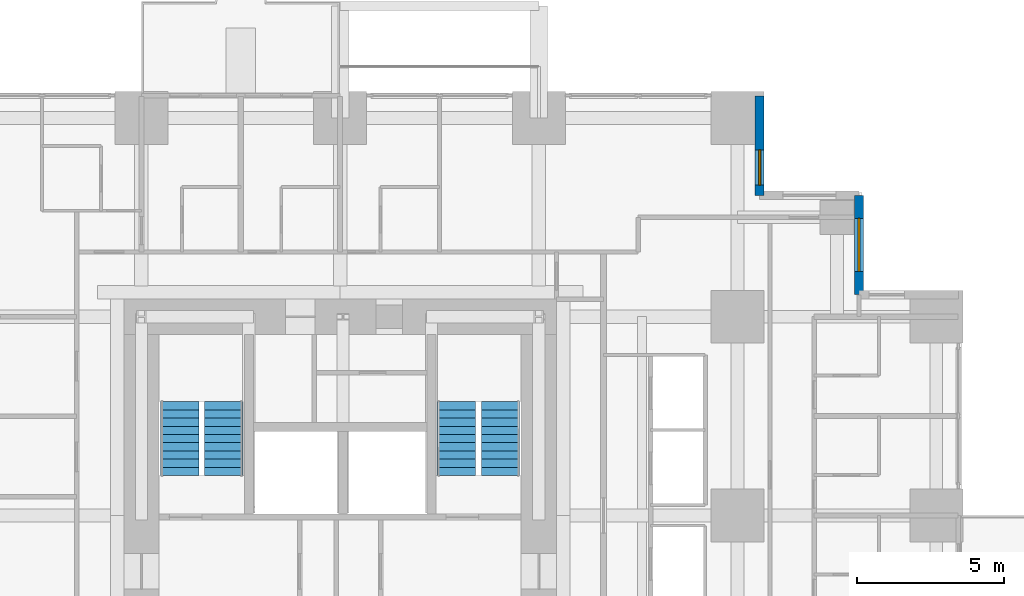
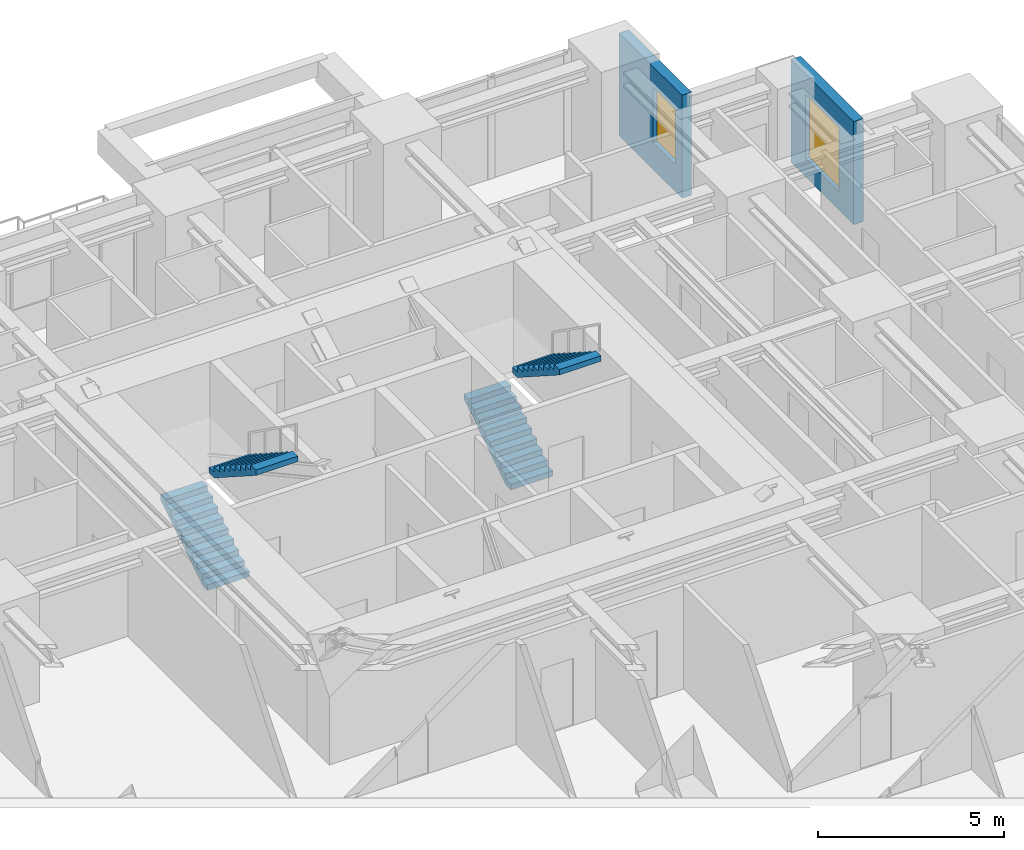
# One storey, part 12 of 13: 4 stair flights, 2 walls, 2 windows, 2 openings, 2 elements without a shape of their own.
"""IFC4 building model written with IfcOpenShell, lengths in metres."""

from ifc_helpers import new_model, si_unit, direction, frame, frame_2d, origin, place, context, subcontext, project, spatial, polyline, rectangle, outline, extrude, material, layer, layer_set, type_object, element, fill, aggregate, save


model = new_model("IFC4")

# Units and contexts
model_context = context("Model", 3, precision=1e-05, world=origin(), true_north=direction((0.0, 1.0)))
body_context = subcontext(model_context, "Body", "Model", "MODEL_VIEW")
ifc_project = project(units=[si_unit("LENGTHUNIT", "METRE"), si_unit("AREAUNIT", "SQUARE_METRE"), si_unit("VOLUMEUNIT", "CUBIC_METRE"), si_unit("PLANEANGLEUNIT", "RADIAN"), si_unit("MASSUNIT", "GRAM", prefix="KILO")], contexts=[model_context])

# Site, building, storey
site_placement = place(None, origin())
site = spatial("IfcSite", under=ifc_project, at=site_placement, CompositionType="ELEMENT")
building_placement = place(site_placement, origin())
building = spatial("IfcBuilding", under=site, at=building_placement, Name="Nyansa Garden Tower", CompositionType="ELEMENT")
storey_placement = place(building_placement, frame((0.0, 0.0, 101.699951171875)))
storey = spatial("IfcBuildingStorey", under=building, at=storey_placement, Name="L27", CompositionType="ELEMENT", Elevation=101.699951171875)

# Wall, opening, window
ifc_material_1 = material(Name="Turquoise glazed tile on concrete blockwork", Category="masonry")
ifc_layer = layer(ifc_material_1, 0.300048828125)
ifc_layer_set = layer_set([ifc_layer], Name="Tiled corner wall TW300")
wall_type = type_object("IfcWallType", Name="Tiled corner wall TW300", PredefinedType="SOLIDWALL", material=ifc_layer_set)
wall_1_placement = place(storey_placement, frame((37.875, 27.75, 0.0), z_axis=(0.0, 0.0, 1.0), x_axis=(0.0, 1.0, 0.0)))
wall_1 = element("IfcWall", 1, at=wall_1_placement, inside=storey, type_object=wall_type, Name="Tiled corner wall L27", PredefinedType="SOLIDWALL", context=body_context, shape_type="SweptSolid", body=[
    extrude(rectangle(XDim=3.375, YDim=0.300048828125, at=frame_2d((1.6875, 0.0))), origin(), (0.0, 0.0, 1.0), 3.375),
])
opening_1_placement = place(wall_1_placement, frame((0.78759765625, 0.0, 0.60009765625)))
opening_1 = element("IfcOpeningElement", 2, at=opening_1_placement, cuts=wall_1, Name="Opening W2", PredefinedType="OPENING", context=body_context, shape_type="SweptSolid", body=[
    extrude(rectangle(XDim=1.800048828125, YDim=2.10009765625, at=frame_2d((0.89990234375, 1.050048828125))), frame((0.0, 0.159912109375, 0.0), z_axis=(0.0, -1.0, 0.0), x_axis=(1.0, 0.0, 0.0)), (0.0, 0.0, 1.0), 0.320068359375),
])
ifc_material_2 = material(Name="Black aluminium frame, dark tinted double glazing", Category="aluminium")
window_type_1 = type_object("IfcWindowType", Name="Window W2 1800x2100", PartitioningType="SINGLE_PANEL", PredefinedType="WINDOW", material=ifc_material_2)
window_1_placement = place(opening_1_placement, origin())
window_1 = element("IfcWindow", 3, at=window_1_placement, inside=storey, type_object=window_type_1, Name="Corner window L27", OverallHeight=2.10009765625, OverallWidth=1.800048828125, PartitioningType="SINGLE_PANEL", PredefinedType="WINDOW", context=body_context, shape_type="SweptSolid", body=[
    extrude(rectangle(XDim=1.800048828125, YDim=2.10009765625, at=frame_2d((0.89990234375, 1.050048828125))), frame((0.0, 0.030029296875, 0.0), z_axis=(0.0, -1.0, 0.0), x_axis=(1.0, 0.0, 0.0)), (0.0, 0.0, 1.0), 0.06005859375),
])
fill(opening_1, window_1)

wall_2_placement = place(storey_placement, frame((34.5, 31.125, 0.0), z_axis=(0.0, 0.0, 1.0), x_axis=(0.0, 1.0, 0.0)))
wall_2 = element("IfcWall", 4, at=wall_2_placement, inside=storey, type_object=wall_type, Name="Tiled corner wall L27", PredefinedType="SOLIDWALL", context=body_context, shape_type="SweptSolid", body=[
    extrude(rectangle(XDim=3.375, YDim=0.300048828125, at=frame_2d((1.6875, 0.0))), origin(), (0.0, 0.0, 1.0), 3.375),
])
opening_2_placement = place(wall_2_placement, frame((0.342529296875, 0.0, 0.89990234375)))
opening_2 = element("IfcOpeningElement", 5, at=opening_2_placement, cuts=wall_2, Name="Opening W4", PredefinedType="OPENING", context=body_context, shape_type="SweptSolid", body=[
    extrude(rectangle(XDim=1.199951171875, YDim=1.800048828125, at=frame_2d((0.60009765625, 0.89990234375))), frame((0.0, 0.159912109375, 0.0), z_axis=(0.0, -1.0, 0.0), x_axis=(1.0, 0.0, 0.0)), (0.0, 0.0, 1.0), 0.320068359375),
])
ifc_material_3 = material(Name="Black aluminium frame, dark tinted double glazing", Category="aluminium")
window_type_2 = type_object("IfcWindowType", Name="Window W4 1200x1800", PartitioningType="SINGLE_PANEL", PredefinedType="WINDOW", material=ifc_material_3)
window_2_placement = place(opening_2_placement, origin())
window_2 = element("IfcWindow", 6, at=window_2_placement, inside=storey, type_object=window_type_2, Name="Corner window L27", OverallHeight=1.800048828125, OverallWidth=1.199951171875, PartitioningType="SINGLE_PANEL", PredefinedType="WINDOW", context=body_context, shape_type="SweptSolid", body=[
    extrude(rectangle(XDim=1.199951171875, YDim=1.800048828125, at=frame_2d((0.60009765625, 0.89990234375))), frame((0.0, 0.030029296875, 0.0), z_axis=(0.0, -1.0, 0.0), x_axis=(1.0, 0.0, 0.0)), (0.0, 0.0, 1.0), 0.06005859375),
])
fill(opening_2, window_2)

# Stair, stair flights
ifc_material_4 = material(Name="Precast concrete C40/50", Category="concrete")
stair_type_1 = type_object("IfcStairType", Name="Stair S1 180x280", PredefinedType="HALF_TURN_STAIR", material=ifc_material_4)
stair_1_placement = place(storey_placement, origin())
stair_1 = element("IfcStair", 7, at=stair_1_placement, inside=storey, type_object=stair_type_1, Name="Stair S1 L27", PredefinedType="HALF_TURN_STAIR")
ifc_material_5 = material(Name="Precast concrete C40/50", Category="concrete")
stair_flight_type_1 = type_object("IfcStairFlightType", Name="Stair flight S1 180x280x10", PredefinedType="STRAIGHT", material=ifc_material_5)
stair_flight_1_placement = place(storey_placement, frame((14.800048828125, 21.60009765625, 0.0), z_axis=(0.0, 0.0, 1.0), x_axis=(0.0, 1.0, 0.0)))
stair_flight_1 = element("IfcStairFlight", 8, at=stair_flight_1_placement, type_object=stair_flight_type_1, Name="S1 flight 1", NumberOfRisers=10, NumberOfTreads=9, PredefinedType="STRAIGHT", RiserHeight=0.18, TreadLength=0.28, context=body_context, shape_type="SweptSolid", body=[
    extrude(outline(polyline([(0.0, 0.0), (0.0, 0.179931640625), (0.280029296875, 0.179931640625), (0.280029296875, 0.360107421875), (0.56005859375, 0.360107421875), (0.56005859375, 0.5400390625), (0.840087890625, 0.5400390625), (0.840087890625, 0.719970703125), (1.1201171875, 0.719970703125), (1.1201171875, 0.89990234375), (1.39990234375, 0.89990234375), (1.39990234375, 1.080078125), (1.679931640625, 1.080078125), (1.679931640625, 1.260009765625), (1.9599609375, 1.260009765625), (1.9599609375, 1.43994140625), (2.239990234375, 1.43994140625), (2.239990234375, 1.6201171875), (2.52001953125, 1.6201171875), (2.52001953125, 1.800048828125), (2.52001953125, 1.44189453125), (0.277099609375, 0.0), (0.0, 0.0)])), frame((0.0, 0.64990234375, 0.0), z_axis=(0.0, -1.0, 0.0), x_axis=(1.0, 0.0, 0.0)), (0.0, 0.0, 1.0), 1.300048828125),
])
stair_flight_2_placement = place(storey_placement, frame((16.300048828125, 24.1201171875, 1.800048828125), z_axis=(0.0, 0.0, 1.0), x_axis=(0.0, -1.0, 0.0)))
stair_flight_2 = element("IfcStairFlight", 9, at=stair_flight_2_placement, type_object=stair_flight_type_1, Name="S1 flight 2", NumberOfRisers=10, NumberOfTreads=9, PredefinedType="STRAIGHT", RiserHeight=0.18, TreadLength=0.28, context=body_context, shape_type="SweptSolid", body=[
    extrude(outline(polyline([(0.0, 0.0), (0.0, 0.179931640625), (0.280029296875, 0.179931640625), (0.280029296875, 0.360107421875), (0.56005859375, 0.360107421875), (0.56005859375, 0.5400390625), (0.840087890625, 0.5400390625), (0.840087890625, 0.719970703125), (1.1201171875, 0.719970703125), (1.1201171875, 0.89990234375), (1.39990234375, 0.89990234375), (1.39990234375, 1.080078125), (1.679931640625, 1.080078125), (1.679931640625, 1.260009765625), (1.9599609375, 1.260009765625), (1.9599609375, 1.43994140625), (2.239990234375, 1.43994140625), (2.239990234375, 1.6201171875), (2.52001953125, 1.6201171875), (2.52001953125, 1.800048828125), (2.52001953125, 1.44189453125), (0.277099609375, 0.0), (0.0, 0.0)])), frame((0.0, 0.64990234375, 0.0), z_axis=(0.0, -1.0, 0.0), x_axis=(1.0, 0.0, 0.0)), (0.0, 0.0, 1.0), 1.300048828125),
])
aggregate(stair_1, [stair_flight_1, stair_flight_2])

ifc_material_6 = material(Name="Precast concrete C40/50", Category="concrete")
stair_type_2 = type_object("IfcStairType", Name="Stair S2 180x280", PredefinedType="HALF_TURN_STAIR", material=ifc_material_6)
stair_2_placement = place(storey_placement, origin())
stair_2 = element("IfcStair", 10, at=stair_2_placement, inside=storey, type_object=stair_type_2, Name="Stair S2 L27", PredefinedType="HALF_TURN_STAIR")
ifc_material_7 = material(Name="Precast concrete C40/50", Category="concrete")
stair_flight_type_2 = type_object("IfcStairFlightType", Name="Stair flight S2 180x280x10", PredefinedType="STRAIGHT", material=ifc_material_7)
stair_flight_3_placement = place(storey_placement, frame((24.199951171875, 21.60009765625, 0.0), z_axis=(0.0, 0.0, 1.0), x_axis=(0.0, 1.0, 0.0)))
stair_flight_3 = element("IfcStairFlight", 11, at=stair_flight_3_placement, type_object=stair_flight_type_2, Name="S2 flight 1", NumberOfRisers=10, NumberOfTreads=9, PredefinedType="STRAIGHT", RiserHeight=0.18, TreadLength=0.28, context=body_context, shape_type="SweptSolid", body=[
    extrude(outline(polyline([(0.0, 0.0), (0.0, 0.179931640625), (0.280029296875, 0.179931640625), (0.280029296875, 0.360107421875), (0.56005859375, 0.360107421875), (0.56005859375, 0.5400390625), (0.840087890625, 0.5400390625), (0.840087890625, 0.719970703125), (1.1201171875, 0.719970703125), (1.1201171875, 0.89990234375), (1.39990234375, 0.89990234375), (1.39990234375, 1.080078125), (1.679931640625, 1.080078125), (1.679931640625, 1.260009765625), (1.9599609375, 1.260009765625), (1.9599609375, 1.43994140625), (2.239990234375, 1.43994140625), (2.239990234375, 1.6201171875), (2.52001953125, 1.6201171875), (2.52001953125, 1.800048828125), (2.52001953125, 1.44189453125), (0.277099609375, 0.0), (0.0, 0.0)])), frame((0.0, 0.64990234375, 0.0), z_axis=(0.0, -1.0, 0.0), x_axis=(1.0, 0.0, 0.0)), (0.0, 0.0, 1.0), 1.300048828125),
])
stair_flight_4_placement = place(storey_placement, frame((25.699951171875, 24.1201171875, 1.800048828125), z_axis=(0.0, 0.0, 1.0), x_axis=(0.0, -1.0, 0.0)))
stair_flight_4 = element("IfcStairFlight", 12, at=stair_flight_4_placement, type_object=stair_flight_type_2, Name="S2 flight 2", NumberOfRisers=10, NumberOfTreads=9, PredefinedType="STRAIGHT", RiserHeight=0.18, TreadLength=0.28, context=body_context, shape_type="SweptSolid", body=[
    extrude(outline(polyline([(0.0, 0.0), (0.0, 0.179931640625), (0.280029296875, 0.179931640625), (0.280029296875, 0.360107421875), (0.56005859375, 0.360107421875), (0.56005859375, 0.5400390625), (0.840087890625, 0.5400390625), (0.840087890625, 0.719970703125), (1.1201171875, 0.719970703125), (1.1201171875, 0.89990234375), (1.39990234375, 0.89990234375), (1.39990234375, 1.080078125), (1.679931640625, 1.080078125), (1.679931640625, 1.260009765625), (1.9599609375, 1.260009765625), (1.9599609375, 1.43994140625), (2.239990234375, 1.43994140625), (2.239990234375, 1.6201171875), (2.52001953125, 1.6201171875), (2.52001953125, 1.800048828125), (2.52001953125, 1.44189453125), (0.277099609375, 0.0), (0.0, 0.0)])), frame((0.0, 0.64990234375, 0.0), z_axis=(0.0, -1.0, 0.0), x_axis=(1.0, 0.0, 0.0)), (0.0, 0.0, 1.0), 1.300048828125),
])
aggregate(stair_2, [stair_flight_3, stair_flight_4])

save(model, "model.ifc")
